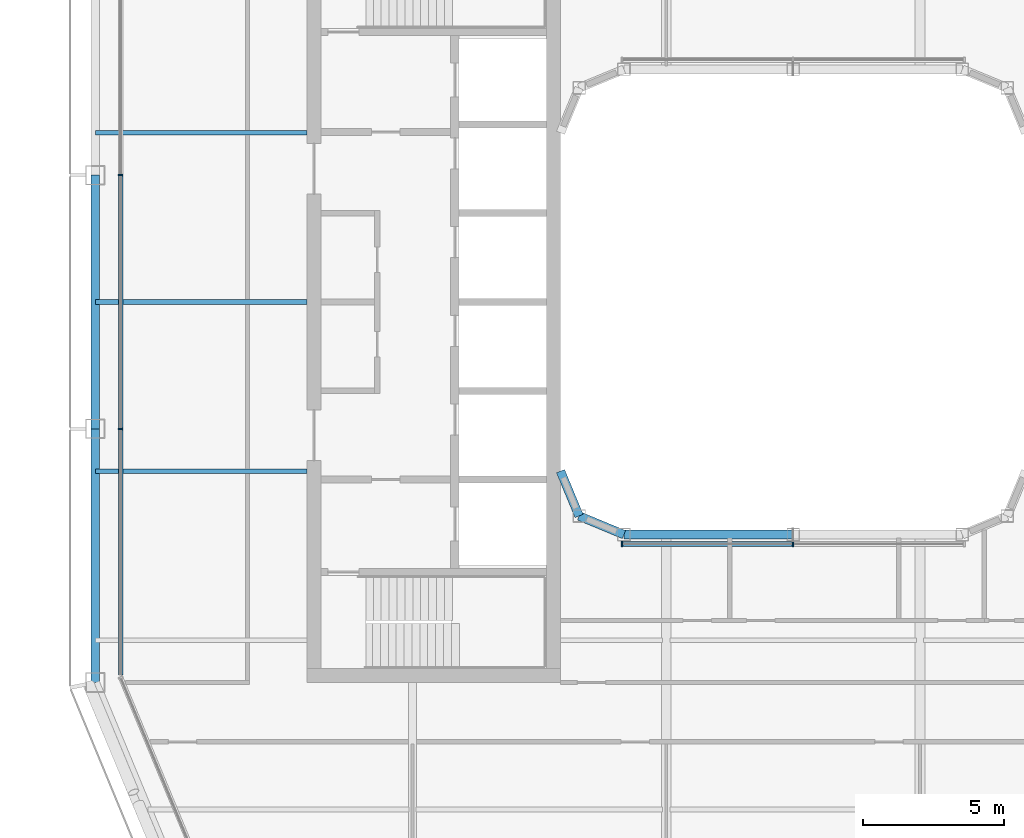
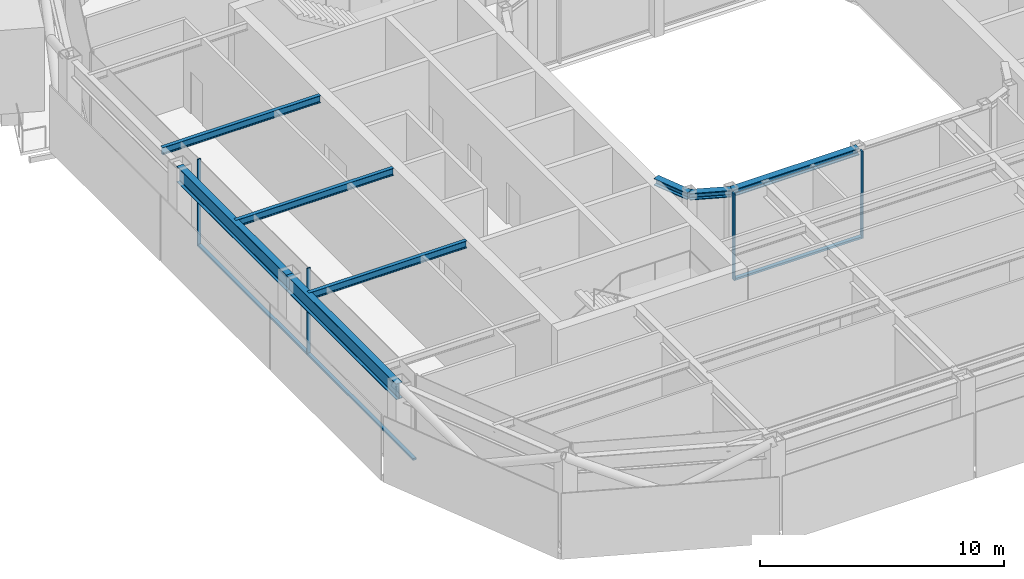
# One storey, part 4 of 22: 8 beams, 7 members, 2 elements without a shape of their own.
"""IFC4 building model written with IfcOpenShell, lengths in metres."""

from ifc_helpers import new_model, si_unit, direction, frame, origin, origin_2d, place, context, subcontext, project, spatial, rectangle, i_section, extrude, material, layer, layer_set, material_profile, profile_set, type_object, element, aggregate, save


model = new_model("IFC4")

# Units and contexts
model_context = context("Model", 3, precision=1e-05, world=origin(), true_north=direction((0.0, 1.0)))
body_context = subcontext(model_context, "Body", "Model", "MODEL_VIEW")
ifc_project = project(units=[si_unit("LENGTHUNIT", "METRE"), si_unit("AREAUNIT", "SQUARE_METRE"), si_unit("VOLUMEUNIT", "CUBIC_METRE"), si_unit("PLANEANGLEUNIT", "RADIAN"), si_unit("MASSUNIT", "GRAM", prefix="KILO")], contexts=[model_context])

# Site, building, storey
site_placement = place(None, origin())
site = spatial("IfcSite", under=ifc_project, at=site_placement, CompositionType="ELEMENT")
building_placement = place(site_placement, origin())
building = spatial("IfcBuilding", under=site, at=building_placement, Name="Siwar Civic Tower", CompositionType="ELEMENT")
storey_placement = place(building_placement, frame((0.0, 0.0, 330.199951171875)))
storey = spatial("IfcBuildingStorey", under=building, at=storey_placement, Name="L71", CompositionType="ELEMENT", Elevation=330.199951171875)

# Curtain wall, members
ifc_material_1 = material(Name="Aluminium and glass", Category="aluminium")
ifc_layer_1 = layer(ifc_material_1, 0.159912109375)
ifc_layer_set_1 = layer_set([ifc_layer_1], Name="Aluminium and glass")
curtain_wall_type_1 = type_object("IfcCurtainWallType", Name="ENV-CW-D", PredefinedType="NOTDEFINED", material=ifc_layer_set_1)
curtain_wall_1_placement = place(storey_placement, origin())
curtain_wall_1 = element("IfcCurtainWall", 1, at=curtain_wall_1_placement, inside=storey, type_object=curtain_wall_type_1, Name="Curtain wall D W", PredefinedType="NOTDEFINED")
ifc_material_2 = material(Name="Aluminium 6063-T6", Category="aluminium")
ifc_material_profile_1 = material_profile(ifc_material_2, rectangle(XDim=0.159912109375, YDim=0.06005859375, at=origin_2d()), Name="AL 160x60")
ifc_profile_set_1 = profile_set([ifc_material_profile_1], Name="Aluminium 6063-T6")
member_type_1 = type_object("IfcMemberType", Name="ENV-MULLION-D", PredefinedType="MULLION", material=ifc_profile_set_1)
member_1_placement = place(storey_placement, frame((-23.85009765625, 4.5, 0.0), z_axis=(0.0, 0.0, 1.0), x_axis=(1.0, 0.0, 0.0)))
member_1 = element("IfcMember", 2, at=member_1_placement, type_object=member_type_1, Name="Mullion D W 2", PredefinedType="MULLION", context=body_context, shape_type="SweptSolid", body=[
    extrude(rectangle(XDim=0.159912109375, YDim=0.06005859375, at=origin_2d()), origin(), (0.0, 0.0, 1.0), 4.35009765625),
])
member_2_placement = place(storey_placement, frame((-23.85009765625, -4.5, 0.0), z_axis=(0.0, 0.0, 1.0), x_axis=(1.0, 0.0, 0.0)))
member_2 = element("IfcMember", 3, at=member_2_placement, type_object=member_type_1, Name="Mullion D W 3", PredefinedType="MULLION", context=body_context, shape_type="SweptSolid", body=[
    extrude(rectangle(XDim=0.159912109375, YDim=0.06005859375, at=origin_2d()), origin(), (0.0, 0.0, 1.0), 4.35009765625),
])

ifc_material_3 = material(Name="Aluminium and glass", Category="aluminium")
ifc_layer_2 = layer(ifc_material_3, 0.179931640625)
ifc_layer_set_2 = layer_set([ifc_layer_2], Name="Aluminium and glass")
curtain_wall_type_2 = type_object("IfcCurtainWallType", Name="ENV-CW-W", PredefinedType="NOTDEFINED", material=ifc_layer_set_2)
curtain_wall_2_placement = place(storey_placement, origin())
curtain_wall_2 = element("IfcCurtainWall", 4, at=curtain_wall_2_placement, inside=storey, type_object=curtain_wall_type_2, Name="Curtain wall W WS", PredefinedType="NOTDEFINED")
ifc_material_4 = material(Name="Aluminium 6063-T6", Category="aluminium")
ifc_material_profile_2 = material_profile(ifc_material_4, rectangle(XDim=0.179931640625, YDim=0.06005859375, at=origin_2d()), Name="AL 180x60")
ifc_profile_set_2 = profile_set([ifc_material_profile_2], Name="Aluminium 6063-T6")
member_type_2 = type_object("IfcMemberType", Name="ENV-MULLION-W", PredefinedType="MULLION", material=ifc_profile_set_2)
member_3_placement = place(storey_placement, frame((-6.066650390625, -8.5849609375, 0.0), z_axis=(0.0, 0.0, 1.0), x_axis=(0.0, 1.0, 0.0)))
member_3 = element("IfcMember", 5, at=member_3_placement, type_object=member_type_2, Name="Mullion W WS 1", PredefinedType="MULLION", context=body_context, shape_type="SweptSolid", body=[
    extrude(rectangle(XDim=0.179931640625, YDim=0.06005859375, at=origin_2d()), origin(), (0.0, 0.0, 1.0), 4.35009765625),
])
member_4_placement = place(storey_placement, frame((0.0, -8.5849609375, 0.0), z_axis=(0.0, 0.0, 1.0), x_axis=(0.0, 1.0, 0.0)))
member_4 = element("IfcMember", 6, at=member_4_placement, type_object=member_type_2, Name="Mullion W WS 2", PredefinedType="MULLION", context=body_context, shape_type="SweptSolid", body=[
    extrude(rectangle(XDim=0.179931640625, YDim=0.06005859375, at=origin_2d()), origin(), (0.0, 0.0, 1.0), 4.35009765625),
])

# Member
ifc_material_5 = material(Name="Aluminium 6063-T6", Category="aluminium")
ifc_material_profile_3 = material_profile(ifc_material_5, rectangle(XDim=0.159912109375, YDim=0.10009765625, at=origin_2d()), Name="AL 160x100")
ifc_profile_set_3 = profile_set([ifc_material_profile_3], Name="Aluminium 6063-T6")
member_type_3 = type_object("IfcMemberType", Name="ENV-TRANSOM-D", PredefinedType="USERDEFINED", material=ifc_profile_set_3)
member_5_placement = place(storey_placement, frame((-23.85009765625, 4.469970703125, 0.050048828125), z_axis=(0.0, -1.0, 0.0), x_axis=(1.0, 0.0, 0.0)))
member_5 = element("IfcMember", 7, at=member_5_placement, type_object=member_type_3, Name="Transom D W 2", ObjectType="TRANSOM", PredefinedType="USERDEFINED", context=body_context, shape_type="SweptSolid", body=[
    extrude(rectangle(XDim=0.159912109375, YDim=0.10009765625, at=origin_2d()), origin(), (0.0, 0.0, 1.0), 8.93994140625),
])

member_6_placement = place(storey_placement, frame((-23.85009765625, -4.530029296875, 0.050048828125), z_axis=(0.0, -1.0, 0.0), x_axis=(1.0, 0.0, 0.0)))
member_6 = element("IfcMember", 8, at=member_6_placement, type_object=member_type_3, Name="Transom D W 3", ObjectType="TRANSOM", PredefinedType="USERDEFINED", context=body_context, shape_type="SweptSolid", body=[
    extrude(rectangle(XDim=0.159912109375, YDim=0.10009765625, at=origin_2d()), origin(), (0.0, 0.0, 1.0), 8.693115234375),
])

aggregate(curtain_wall_1, [member_1, member_2, member_5, member_6])

ifc_material_6 = material(Name="Aluminium 6063-T6", Category="aluminium")
ifc_material_profile_4 = material_profile(ifc_material_6, rectangle(XDim=0.179931640625, YDim=0.10009765625, at=origin_2d()), Name="AL 180x100")
ifc_profile_set_4 = profile_set([ifc_material_profile_4], Name="Aluminium 6063-T6")
member_type_4 = type_object("IfcMemberType", Name="ENV-TRANSOM-W", PredefinedType="USERDEFINED", material=ifc_profile_set_4)
member_7_placement = place(storey_placement, frame((-6.03662109375, -8.5849609375, 0.050048828125), z_axis=(1.0, 0.0, 0.0), x_axis=(0.0, 1.0, 0.0)))
member_7 = element("IfcMember", 9, at=member_7_placement, type_object=member_type_4, Name="Transom W WS 1", ObjectType="TRANSOM", PredefinedType="USERDEFINED", context=body_context, shape_type="SweptSolid", body=[
    extrude(rectangle(XDim=0.179931640625, YDim=0.10009765625, at=origin_2d()), origin(), (0.0, 0.0, 1.0), 6.006591796875),
])

aggregate(curtain_wall_2, [member_3, member_4, member_7])

# Beams
ifc_material_7 = material(Name="Steel S355", Category="steel")
ifc_material_profile_5 = material_profile(ifc_material_7, i_section(OverallWidth=0.169921875, OverallDepth=0.360107421875, WebThickness=0.008056640625, FlangeThickness=0.0126953125, FilletRadius=0.01806640625, at=origin_2d()), Name="IPE360")
ifc_profile_set_5 = profile_set([ifc_material_profile_5], Name="Steel S355")
beam_type_1 = type_object("IfcBeamType", Name="STR-FB-IPE360", PredefinedType="JOIST", material=ifc_profile_set_5)
for number, where, z_axis, x_axis, name in (
    (10, (-24.75, -6.0, 4.170166015625), (1.0, 0.0, 0.0), (0.0, 1.0, 0.0), "L71/bm/F016"),
    (11, (-24.75, 0.0, 4.170166015625), (1.0, 0.0, 0.0), (0.0, 1.0, 0.0), "L71/bm/F018"),
    (12, (-24.75, 6.0, 4.170166015625), (1.0, 0.0, 0.0), (0.0, 1.0, 0.0), "L71/bm/F020"),
):
    element("IfcBeam", number, at=place(storey_placement, frame(where, z_axis=z_axis, x_axis=x_axis)), inside=storey, type_object=beam_type_1, Name=name, PredefinedType="JOIST", context=body_context, shape_type="SweptSolid", body=[
        extrude(i_section(OverallWidth=0.169921875, OverallDepth=0.360107421875, WebThickness=0.008056640625, FlangeThickness=0.0126953125, FilletRadius=0.01806640625, at=origin_2d()), origin(), (0.0, 0.0, 1.0), 7.5),
    ])
ifc_material_8 = material(Name="Steel S355", Category="steel")
ifc_material_profile_6 = material_profile(ifc_material_8, i_section(OverallWidth=0.31005859375, OverallDepth=0.340087890625, WebThickness=0.02099609375, FlangeThickness=0.0390625, FilletRadius=0.027099609375, at=origin_2d()), Name="HEM300")
ifc_profile_set_6 = profile_set([ifc_material_profile_6], Name="Steel S355")
beam_type_2 = type_object("IfcBeamType", Name="STR-RB-HEM300", PredefinedType="BEAM", material=ifc_profile_set_6)
beam_1_placement = place(storey_placement, frame((-7.591064453125, -7.591064453125, 4.179931640625), z_axis=(0.923901072997, -0.382631424892, 0.0), x_axis=(0.382631424892, 0.923901072997, 0.0)))
element("IfcBeam", 13, at=beam_1_placement, inside=storey, type_object=beam_type_2, Name="L71/bm/RS0", PredefinedType="BEAM", context=body_context, shape_type="SweptSolid", body=[
    extrude(i_section(OverallWidth=0.31005859375, OverallDepth=0.340087890625, WebThickness=0.02099609375, FlangeThickness=0.0390625, FilletRadius=0.027099609375, at=origin_2d()), origin(), (0.0, 0.0, 1.0), 1.72216796875),
])
beam_2_placement = place(storey_placement, frame((-6.0, -8.25, 4.179931640625), z_axis=(1.0, 0.0, 0.0), x_axis=(0.0, 1.0, 0.0)))
element("IfcBeam", 14, at=beam_2_placement, inside=storey, type_object=beam_type_2, Name="L71/bm/RS1", PredefinedType="BEAM", context=body_context, shape_type="SweptSolid", body=[
    extrude(i_section(OverallWidth=0.31005859375, OverallDepth=0.340087890625, WebThickness=0.02099609375, FlangeThickness=0.0390625, FilletRadius=0.027099609375, at=origin_2d()), origin(), (0.0, 0.0, 1.0), 6.0),
])
beam_3_placement = place(storey_placement, frame((-7.591064453125, -7.591064453125, 4.179931640625), z_axis=(-0.382631424892, 0.923901072997, 0.0), x_axis=(-0.923901072997, -0.382631424892, 0.0)))
element("IfcBeam", 15, at=beam_3_placement, inside=storey, type_object=beam_type_2, Name="L71/bm/RSEW", PredefinedType="BEAM", context=body_context, shape_type="SweptSolid", body=[
    extrude(i_section(OverallWidth=0.31005859375, OverallDepth=0.340087890625, WebThickness=0.02099609375, FlangeThickness=0.0390625, FilletRadius=0.027099609375, at=origin_2d()), origin(), (0.0, 0.0, 1.0), 1.72216796875),
])
ifc_material_9 = material(Name="Steel S355", Category="steel")
ifc_material_profile_7 = material_profile(ifc_material_9, i_section(OverallWidth=0.300048828125, OverallDepth=0.800048828125, WebThickness=0.017578125, FlangeThickness=0.032958984375, FilletRadius=0.030029296875, at=origin_2d()), Name="HEB800")
ifc_profile_set_7 = profile_set([ifc_material_profile_7], Name="Steel S355")
beam_type_3 = type_object("IfcBeamType", Name="STR-SB-HEB800", PredefinedType="BEAM", material=ifc_profile_set_7)
for number, where, z_axis, x_axis, name in (
    (16, (-24.75, 4.5, 3.949951171875), (0.0, -1.0, 0.0), (1.0, 0.0, 0.0), "L71/bm/SW-1"),
    (17, (-24.75, -4.5, 3.949951171875), (0.0, -1.0, 0.0), (1.0, 0.0, 0.0), "L71/bm/SW-2"),
):
    element("IfcBeam", number, at=place(storey_placement, frame(where, z_axis=z_axis, x_axis=x_axis)), inside=storey, type_object=beam_type_3, Name=name, PredefinedType="BEAM", context=body_context, shape_type="SweptSolid", body=[
        extrude(i_section(OverallWidth=0.300048828125, OverallDepth=0.800048828125, WebThickness=0.017578125, FlangeThickness=0.032958984375, FilletRadius=0.030029296875, at=origin_2d()), origin(), (0.0, 0.0, 1.0), 9.0),
    ])

save(model, "model.ifc")
